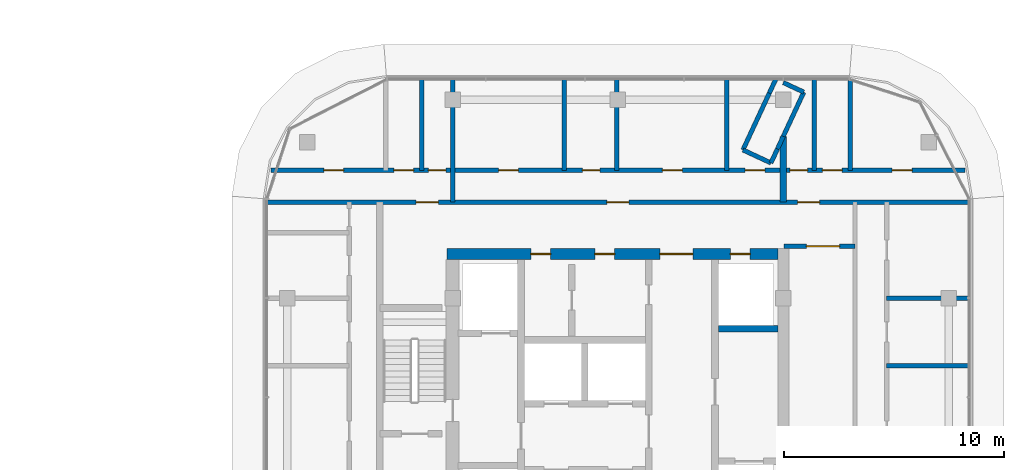
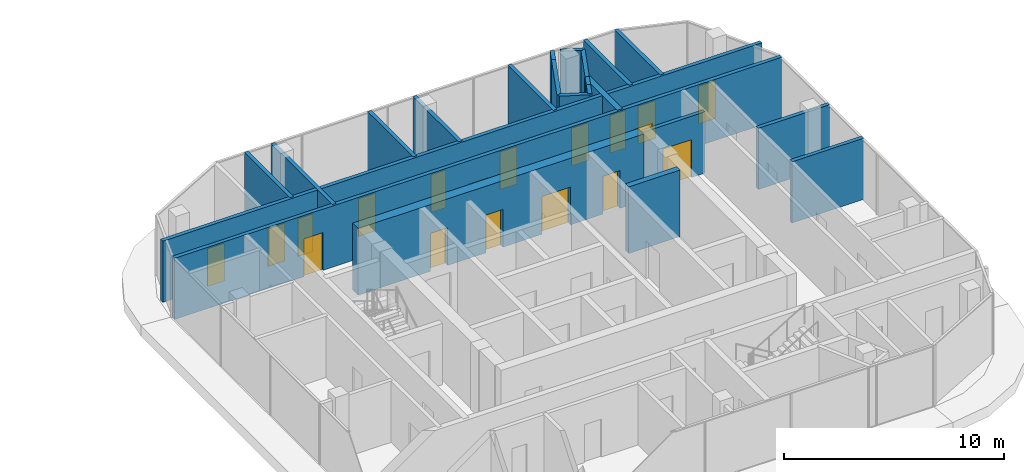
# One storey, part 28 of 40: 22 walls, 18 doors, 18 openings.
"""IFC4 building model written with IfcOpenShell, lengths in metres."""

from ifc_helpers import new_model, si_unit, direction, frame, frame_2d, origin, place, context, subcontext, project, spatial, rectangle, extrude, material, layer, layer_set, type_object, element, fill, save


model = new_model("IFC4")

# Units and contexts
model_context = context("Model", 3, precision=1e-05, world=origin(), true_north=direction((0.0, 1.0)))
body_context = subcontext(model_context, "Body", "Model", "MODEL_VIEW")
ifc_project = project(units=[si_unit("LENGTHUNIT", "METRE"), si_unit("AREAUNIT", "SQUARE_METRE"), si_unit("VOLUMEUNIT", "CUBIC_METRE"), si_unit("PLANEANGLEUNIT", "RADIAN"), si_unit("MASSUNIT", "GRAM", prefix="KILO")], contexts=[model_context])

# Site, building, storey
site_placement = place(None, origin())
site = spatial("IfcSite", under=ifc_project, at=site_placement, CompositionType="ELEMENT")
building_placement = place(site_placement, origin())
building = spatial("IfcBuilding", under=site, at=building_placement, Name="Ogive Portal Towers", CompositionType="ELEMENT")
storey_placement = place(building_placement, frame((0.0, 0.0, 87.10009765625)))
storey = spatial("IfcBuildingStorey", under=building, at=storey_placement, Name="L20", CompositionType="ELEMENT", Elevation=87.10009765625)

# Wall
ifc_material_1 = material(Name="Concrete C60/75", Category="concrete")
ifc_layer_1 = layer(ifc_material_1, 0.300048828125)
ifc_layer_set_1 = layer_set([ifc_layer_1], Name="CORE WALL 300 C60")
wall_type_1 = type_object("IfcWallType", Name="CORE WALL 300 C60", PredefinedType="SHEAR", material=ifc_layer_set_1)
wall_1_placement = place(storey_placement, frame((141.050048828125, 34.10009765625, 0.0), z_axis=(0.0, 0.0, 1.0), x_axis=(1.0, 0.0, 0.0)))
element("IfcWall", 1, at=wall_1_placement, inside=storey, type_object=wall_type_1, Name="Tower B core wall BY7 L20", PredefinedType="SHEAR", context=body_context, shape_type="SweptSolid", body=[
    extrude(rectangle(XDim=2.699951171875, YDim=0.300048828125, at=frame_2d((1.35009765625, 0.0))), origin(), (0.0, 0.0, 1.0), 3.699951171875),
])

# Wall, openings, doors
ifc_layer_2 = layer(ifc_material_1, 0.5)
ifc_layer_set_2 = layer_set([ifc_layer_2], Name="CORE WALL 500 C60")
wall_type_2 = type_object("IfcWallType", Name="CORE WALL 500 C60", PredefinedType="SHEAR", material=ifc_layer_set_2)
wall_2_placement = place(storey_placement, frame((128.75, 37.5, 0.0), z_axis=(0.0, 0.0, 1.0), x_axis=(1.0, 0.0, 0.0)))
wall_2 = element("IfcWall", 2, at=wall_2_placement, inside=storey, type_object=wall_type_2, Name="Tower B core wall BN L20", PredefinedType="SHEAR", context=body_context, shape_type="SweptSolid", body=[
    extrude(rectangle(XDim=15.0, YDim=0.5, at=frame_2d((7.5, 0.0))), origin(), (0.0, 0.0, 1.0), 3.699951171875),
])
opening_1_placement = place(wall_2_placement, frame((9.64990234375, 0.0, 0.0)))
opening_1 = element("IfcOpeningElement", 3, at=opening_1_placement, cuts=wall_2, Name="Opening B07-046", PredefinedType="OPENING", context=body_context, shape_type="SweptSolid", body=[
    extrude(rectangle(XDim=1.5, YDim=2.10009765625, at=frame_2d((0.75, 1.050048828125))), frame((0.0, 0.260009765625, 0.0), z_axis=(0.0, -1.0, 0.0), x_axis=(1.0, 0.0, 0.0)), (0.0, 0.0, 1.0), 0.52001953125),
])
opening_2_placement = place(wall_2_placement, frame((12.85009765625, 0.0, 0.0)))
opening_2 = element("IfcOpeningElement", 4, at=opening_2_placement, cuts=wall_2, Name="Opening B07-048", PredefinedType="OPENING", context=body_context, shape_type="SweptSolid", body=[
    extrude(rectangle(XDim=0.89990234375, YDim=2.10009765625, at=frame_2d((0.449951171875, 1.050048828125))), frame((0.0, 0.260009765625, 0.0), z_axis=(0.0, -1.0, 0.0), x_axis=(1.0, 0.0, 0.0)), (0.0, 0.0, 1.0), 0.52001953125),
])
opening_3_placement = place(wall_2_placement, frame((3.800048828125, 0.0, 0.0)))
opening_3 = element("IfcOpeningElement", 5, at=opening_3_placement, cuts=wall_2, Name="Opening B07-055", PredefinedType="OPENING", context=body_context, shape_type="SweptSolid", body=[
    extrude(rectangle(XDim=0.89990234375, YDim=2.10009765625, at=frame_2d((0.449951171875, 1.050048828125))), frame((0.0, 0.260009765625, 0.0), z_axis=(0.0, -1.0, 0.0), x_axis=(1.0, 0.0, 0.0)), (0.0, 0.0, 1.0), 0.52001953125),
])
opening_4_placement = place(wall_2_placement, frame((6.699951171875, 0.0, 0.0)))
opening_4 = element("IfcOpeningElement", 6, at=opening_4_placement, cuts=wall_2, Name="Opening B07-056", PredefinedType="OPENING", context=body_context, shape_type="SweptSolid", body=[
    extrude(rectangle(XDim=0.89990234375, YDim=2.10009765625, at=frame_2d((0.449951171875, 1.050048828125))), frame((0.0, 0.260009765625, 0.0), z_axis=(0.0, -1.0, 0.0), x_axis=(1.0, 0.0, 0.0)), (0.0, 0.0, 1.0), 0.52001953125),
])
ifc_material_2 = material(Name="Steel fire door", Category="steel")
door_type_1 = type_object("IfcDoorType", Name="DT-SWING-1500x2100-FD90S", OperationType="SINGLE_SWING_LEFT", PredefinedType="DOOR", material=ifc_material_2)
door_1_placement = place(opening_1_placement, origin())
door_1 = element("IfcDoor", 7, at=door_1_placement, inside=storey, type_object=door_type_1, Name="Door B07-046", OperationType="SINGLE_SWING_RIGHT", OverallHeight=2.10009765625, OverallWidth=1.5, PredefinedType="DOOR", context=body_context, shape_type="SweptSolid", body=[
    extrude(rectangle(XDim=1.5, YDim=2.10009765625, at=frame_2d((0.75, 1.050048828125))), frame((0.0, 0.02490234375, 0.0), z_axis=(0.0, -1.0, 0.0), x_axis=(1.0, 0.0, 0.0)), (0.0, 0.0, 1.0), 0.050048828125),
])
fill(opening_1, door_1)
door_type_2 = type_object("IfcDoorType", Name="DT-SWING-900x2100-FD90S", OperationType="SINGLE_SWING_LEFT", PredefinedType="DOOR", material=ifc_material_2)
door_2_placement = place(opening_2_placement, origin())
door_2 = element("IfcDoor", 8, at=door_2_placement, inside=storey, type_object=door_type_2, Name="Riser access door B07-048", OperationType="SINGLE_SWING_RIGHT", OverallHeight=2.10009765625, OverallWidth=0.89990234375, PredefinedType="DOOR", context=body_context, shape_type="SweptSolid", body=[
    extrude(rectangle(XDim=0.89990234375, YDim=2.10009765625, at=frame_2d((0.449951171875, 1.050048828125))), frame((0.0, 0.02490234375, 0.0), z_axis=(0.0, -1.0, 0.0), x_axis=(1.0, 0.0, 0.0)), (0.0, 0.0, 1.0), 0.050048828125),
])
fill(opening_2, door_2)
door_3_placement = place(opening_3_placement, origin())
door_3 = element("IfcDoor", 9, at=door_3_placement, inside=storey, type_object=door_type_2, Name="Door B07-055", OperationType="SINGLE_SWING_LEFT", OverallHeight=2.10009765625, OverallWidth=0.89990234375, PredefinedType="DOOR", context=body_context, shape_type="SweptSolid", body=[
    extrude(rectangle(XDim=0.89990234375, YDim=2.10009765625, at=frame_2d((0.449951171875, 1.050048828125))), frame((0.0, 0.02490234375, 0.0), z_axis=(0.0, -1.0, 0.0), x_axis=(1.0, 0.0, 0.0)), (0.0, 0.0, 1.0), 0.050048828125),
])
fill(opening_3, door_3)
door_4_placement = place(opening_4_placement, origin())
door_4 = element("IfcDoor", 10, at=door_4_placement, inside=storey, type_object=door_type_2, Name="Door B07-056", OperationType="SINGLE_SWING_RIGHT", OverallHeight=2.10009765625, OverallWidth=0.89990234375, PredefinedType="DOOR", context=body_context, shape_type="SweptSolid", body=[
    extrude(rectangle(XDim=0.89990234375, YDim=2.10009765625, at=frame_2d((0.449951171875, 1.050048828125))), frame((0.0, 0.02490234375, 0.0), z_axis=(0.0, -1.0, 0.0), x_axis=(1.0, 0.0, 0.0)), (0.0, 0.0, 1.0), 0.050048828125),
])
fill(opening_4, door_4)

# Walls
ifc_material_3 = material(Name="Gypsum board partition on steel studs", Category="steel")
ifc_layer_3 = layer(ifc_material_3, 0.199951171875)
ifc_layer_set_3 = layer_set([ifc_layer_3], Name="WT-PART-200-EI 60")
wall_type_3 = type_object("IfcWallType", Name="WT-PART-200-EI 60", PredefinedType="PARTITIONING", material=ifc_layer_set_3)
wall_3_placement = place(storey_placement, frame((142.1689453125, 42.218017578125, 0.0), z_axis=(0.0, 0.0, 1.0), x_axis=(0.906890025327, -0.421367395466, 0.0)))
element("IfcWall", 11, at=wall_3_placement, inside=storey, type_object=wall_type_3, Name="Wall L20:w001", PredefinedType="PARTITIONING", context=body_context, shape_type="SweptSolid", body=[
    extrude(rectangle(XDim=1.400390625, YDim=0.199951171875, at=frame_2d((0.7001953125, 0.0))), origin(), (0.0, 0.0, 1.0), 3.39990234375),
])
wall_4_placement = place(storey_placement, frame((142.1689453125, 42.218017578125, 0.0), z_axis=(0.0, 0.0, 1.0), x_axis=(0.421002733132, 0.907059368893, 0.0)))
element("IfcWall", 12, at=wall_4_placement, inside=storey, type_object=wall_type_3, Name="Wall L20:w003", PredefinedType="PARTITIONING", context=body_context, shape_type="SweptSolid", body=[
    extrude(rectangle(XDim=2.841064453125, YDim=0.199951171875, at=frame_2d((1.42041015625, 0.0))), origin(), (0.0, 0.0, 1.0), 3.39990234375),
])
wall_5_placement = place(storey_placement, frame((143.43896484375, 41.6279296875, 0.0), z_axis=(0.0, 0.0, 1.0), x_axis=(0.421223998033, 0.906956638148, 0.0)))
element("IfcWall", 13, at=wall_5_placement, inside=storey, type_object=wall_type_3, Name="Wall L20:w004", PredefinedType="PARTITIONING", context=body_context, shape_type="SweptSolid", body=[
    extrude(rectangle(XDim=0.7001953125, YDim=0.199951171875, at=frame_2d((0.35009765625, 0.0))), origin(), (0.0, 0.0, 1.0), 3.39990234375),
])
wall_6_placement = place(storey_placement, frame((143.364990234375, 44.794921875, 0.0), z_axis=(0.0, 0.0, 1.0), x_axis=(0.421776680367, 0.90669974738, 0.0)))
element("IfcWall", 14, at=wall_6_placement, inside=storey, type_object=wall_type_3, Name="Wall L20:w005", PredefinedType="PARTITIONING", context=body_context, shape_type="SweptSolid", body=[
    extrude(rectangle(XDim=0.71142578125, YDim=0.199951171875, at=frame_2d((0.355712890625, 0.0))), origin(), (0.0, 0.0, 1.0), 3.39990234375),
])
wall_7_placement = place(storey_placement, frame((143.73388671875, 42.262939453125, 0.0), z_axis=(0.0, 0.0, 1.0), x_axis=(0.420623716183, 0.907235189675, 0.0)))
element("IfcWall", 15, at=wall_7_placement, inside=storey, type_object=wall_type_3, Name="Wall L20:w006", PredefinedType="PARTITIONING", context=body_context, shape_type="SweptSolid", body=[
    extrude(rectangle(XDim=0.632568359375, YDim=0.199951171875, at=frame_2d((0.31640625, 0.0))), origin(), (0.0, 0.0, 1.0), 3.39990234375),
])
wall_8_placement = place(storey_placement, frame((144.0, 42.8369140625, 0.0), z_axis=(0.0, 0.0, 1.0), x_axis=(0.421069082826, 0.907028570382, 0.0)))
element("IfcWall", 16, at=wall_8_placement, inside=storey, type_object=wall_type_3, Name="Wall L20:w008", PredefinedType="PARTITIONING", context=body_context, shape_type="SweptSolid", body=[
    extrude(rectangle(XDim=2.20849609375, YDim=0.199951171875, at=frame_2d((1.104248046875, 0.0))), origin(), (0.0, 0.0, 1.0), 3.39990234375),
])
wall_9_placement = place(storey_placement, frame((144.0, 45.27197265625, 0.0), z_axis=(0.0, 0.0, 1.0), x_axis=(0.906960240365, -0.42121624185, 0.0)))
element("IfcWall", 17, at=wall_9_placement, inside=storey, type_object=wall_type_3, Name="Wall L20:w011", PredefinedType="PARTITIONING", context=body_context, shape_type="SweptSolid", body=[
    extrude(rectangle(XDim=1.025390625, YDim=0.199951171875, at=frame_2d((0.5126953125, 0.0))), origin(), (0.0, 0.0, 1.0), 3.39990234375),
])
for number, where, z_axis, x_axis, name in (
    (18, (148.68994140625, 32.43310546875, 0.0), (0.0, 0.0, 1.0), (1.0, 0.0, 0.0), "Wall L20:w023"),
    (19, (148.68994140625, 35.5, 0.0), (0.0, 0.0, 1.0), (1.0, 0.0, 0.0), "Wall L20:w026"),
):
    element("IfcWall", number, at=place(storey_placement, frame(where, z_axis=z_axis, x_axis=x_axis)), inside=storey, type_object=wall_type_3, Name=name, PredefinedType="PARTITIONING", context=body_context, shape_type="SweptSolid", body=[
        extrude(rectangle(XDim=3.75, YDim=0.199951171875, at=frame_2d((1.875, 0.0))), origin(), (0.0, 0.0, 1.0), 3.39990234375),
    ])

# Wall, opening, door
wall_10_placement = place(storey_placement, frame((144.02001953125, 37.85009765625, 0.0), z_axis=(0.0, 0.0, 1.0), x_axis=(1.0, 0.0, 0.0)))
wall_10 = element("IfcWall", 20, at=wall_10_placement, inside=storey, type_object=wall_type_3, Name="Wall L20:w028", PredefinedType="PARTITIONING", context=body_context, shape_type="SweptSolid", body=[
    extrude(rectangle(XDim=3.22998046875, YDim=0.199951171875, at=frame_2d((1.614990234375, 0.0))), origin(), (0.0, 0.0, 1.0), 3.39990234375),
])
opening_5_placement = place(wall_10_placement, frame((1.030029296875, 0.0, 0.0)))
opening_5 = element("IfcOpeningElement", 21, at=opening_5_placement, cuts=wall_10, Name="Opening B07-001", PredefinedType="OPENING", context=body_context, shape_type="SweptSolid", body=[
    extrude(rectangle(XDim=1.5, YDim=2.10009765625, at=frame_2d((0.75, 1.050048828125))), frame((0.0, 0.10986328125, 0.0), z_axis=(0.0, -1.0, 0.0), x_axis=(1.0, 0.0, 0.0)), (0.0, 0.0, 1.0), 0.219970703125),
])
door_type_3 = type_object("IfcDoorType", Name="DT-SWING-1500x2100-FD60S", OperationType="SINGLE_SWING_LEFT", PredefinedType="DOOR", material=ifc_material_2)
door_5_placement = place(opening_5_placement, origin())
door_5 = element("IfcDoor", 22, at=door_5_placement, inside=storey, type_object=door_type_3, Name="Door B07-001", OperationType="SINGLE_SWING_LEFT", OverallHeight=2.10009765625, OverallWidth=1.5, PredefinedType="DOOR", context=body_context, shape_type="SweptSolid", body=[
    extrude(rectangle(XDim=1.5, YDim=2.10009765625, at=frame_2d((0.75, 1.050048828125))), frame((0.0, 0.02490234375, 0.0), z_axis=(0.0, -1.0, 0.0), x_axis=(1.0, 0.0, 0.0)), (0.0, 0.0, 1.0), 0.050048828125),
])
fill(opening_5, door_5)

# Wall, openings, doors
wall_11_placement = place(storey_placement, frame((120.56005859375, 39.85009765625, 0.0), z_axis=(0.0, 0.0, 1.0), x_axis=(1.0, 0.0, 0.0)))
wall_11 = element("IfcWall", 23, at=wall_11_placement, inside=storey, type_object=wall_type_3, Name="Wall L20:w030", PredefinedType="PARTITIONING", context=body_context, shape_type="SweptSolid", body=[
    extrude(rectangle(XDim=31.8798828125, YDim=0.199951171875, at=frame_2d((15.93994140625, 0.0))), origin(), (0.0, 0.0, 1.0), 3.39990234375),
])
opening_6_placement = place(wall_11_placement, frame((6.7900390625, 0.0, 0.0)))
opening_6 = element("IfcOpeningElement", 24, at=opening_6_placement, cuts=wall_11, Name="Opening B07-005", PredefinedType="OPENING", context=body_context, shape_type="SweptSolid", body=[
    extrude(rectangle(XDim=1.0, YDim=2.10009765625, at=frame_2d((0.5, 1.050048828125))), frame((0.0, 0.10986328125, 0.0), z_axis=(0.0, -1.0, 0.0), x_axis=(1.0, 0.0, 0.0)), (0.0, 0.0, 1.0), 0.219970703125),
])
opening_7_placement = place(wall_11_placement, frame((15.43994140625, 0.0, 0.0)))
opening_7 = element("IfcOpeningElement", 25, at=opening_7_placement, cuts=wall_11, Name="Opening B07-009", PredefinedType="OPENING", context=body_context, shape_type="SweptSolid", body=[
    extrude(rectangle(XDim=1.0, YDim=2.10009765625, at=frame_2d((0.5, 1.050048828125))), frame((0.0, 0.10986328125, 0.0), z_axis=(0.0, -1.0, 0.0), x_axis=(1.0, 0.0, 0.0)), (0.0, 0.0, 1.0), 0.219970703125),
])
opening_8_placement = place(wall_11_placement, frame((24.090087890625, 0.0, 0.0)))
opening_8 = element("IfcOpeningElement", 26, at=opening_8_placement, cuts=wall_11, Name="Opening B07-014", PredefinedType="OPENING", context=body_context, shape_type="SweptSolid", body=[
    extrude(rectangle(XDim=1.0, YDim=2.10009765625, at=frame_2d((0.5, 1.050048828125))), frame((0.0, 0.10986328125, 0.0), z_axis=(0.0, -1.0, 0.0), x_axis=(1.0, 0.0, 0.0)), (0.0, 0.0, 1.0), 0.219970703125),
])
door_type_4 = type_object("IfcDoorType", Name="DT-SWING-1000x2100-FD60S", OperationType="SINGLE_SWING_LEFT", PredefinedType="DOOR", material=ifc_material_2)
door_6_placement = place(opening_6_placement, origin())
door_6 = element("IfcDoor", 27, at=door_6_placement, inside=storey, type_object=door_type_4, Name="Door B07-005", OperationType="SINGLE_SWING_LEFT", OverallHeight=2.10009765625, OverallWidth=1.0, PredefinedType="DOOR", context=body_context, shape_type="SweptSolid", body=[
    extrude(rectangle(XDim=1.0, YDim=2.10009765625, at=frame_2d((0.5, 1.050048828125))), frame((0.0, 0.02490234375, 0.0), z_axis=(0.0, -1.0, 0.0), x_axis=(1.0, 0.0, 0.0)), (0.0, 0.0, 1.0), 0.050048828125),
])
fill(opening_6, door_6)
door_7_placement = place(opening_7_placement, origin())
door_7 = element("IfcDoor", 28, at=door_7_placement, inside=storey, type_object=door_type_4, Name="Door B07-009", OperationType="SINGLE_SWING_LEFT", OverallHeight=2.10009765625, OverallWidth=1.0, PredefinedType="DOOR", context=body_context, shape_type="SweptSolid", body=[
    extrude(rectangle(XDim=1.0, YDim=2.10009765625, at=frame_2d((0.5, 1.050048828125))), frame((0.0, 0.02490234375, 0.0), z_axis=(0.0, -1.0, 0.0), x_axis=(1.0, 0.0, 0.0)), (0.0, 0.0, 1.0), 0.050048828125),
])
fill(opening_7, door_7)
door_8_placement = place(opening_8_placement, origin())
door_8 = element("IfcDoor", 29, at=door_8_placement, inside=storey, type_object=door_type_4, Name="Door B07-014", OperationType="SINGLE_SWING_RIGHT", OverallHeight=2.10009765625, OverallWidth=1.0, PredefinedType="DOOR", context=body_context, shape_type="SweptSolid", body=[
    extrude(rectangle(XDim=1.0, YDim=2.10009765625, at=frame_2d((0.5, 1.050048828125))), frame((0.0, 0.02490234375, 0.0), z_axis=(0.0, -1.0, 0.0), x_axis=(1.0, 0.0, 0.0)), (0.0, 0.0, 1.0), 0.050048828125),
])
fill(opening_8, door_8)

wall_12_placement = place(storey_placement, frame((120.764892578125, 41.2900390625, 0.0), z_axis=(0.0, 0.0, 1.0), x_axis=(1.0, 0.0, 0.0)))
wall_12 = element("IfcWall", 30, at=wall_12_placement, inside=storey, type_object=wall_type_3, Name="Wall L20:w031", PredefinedType="PARTITIONING", context=body_context, shape_type="SweptSolid", body=[
    extrude(rectangle(XDim=31.47021484375, YDim=0.199951171875, at=frame_2d((15.735107421875, 0.0))), origin(), (0.0, 0.0, 1.0), 3.39990234375),
])
opening_9_placement = place(wall_12_placement, frame((2.39697265625, 0.0, 0.0)))
opening_9 = element("IfcOpeningElement", 31, at=opening_9_placement, cuts=wall_12, Name="Opening B07-006", PredefinedType="OPENING", context=body_context, shape_type="SweptSolid", body=[
    extrude(rectangle(XDim=0.89990234375, YDim=2.10009765625, at=frame_2d((0.449951171875, 1.050048828125))), frame((0.0, 0.10986328125, 0.0), z_axis=(0.0, -1.0, 0.0), x_axis=(1.0, 0.0, 0.0)), (0.0, 0.0, 1.0), 0.219970703125),
])
opening_10_placement = place(wall_12_placement, frame((5.56591796875, 0.0, 0.0)))
opening_10 = element("IfcOpeningElement", 32, at=opening_10_placement, cuts=wall_12, Name="Opening B07-007", PredefinedType="OPENING", context=body_context, shape_type="SweptSolid", body=[
    extrude(rectangle(XDim=0.89990234375, YDim=2.10009765625, at=frame_2d((0.449951171875, 1.050048828125))), frame((0.0, 0.10986328125, 0.0), z_axis=(0.0, -1.0, 0.0), x_axis=(1.0, 0.0, 0.0)), (0.0, 0.0, 1.0), 0.219970703125),
])
opening_11_placement = place(wall_12_placement, frame((7.135009765625, 0.0, 0.0)))
opening_11 = element("IfcOpeningElement", 33, at=opening_11_placement, cuts=wall_12, Name="Opening B07-008", PredefinedType="OPENING", context=body_context, shape_type="SweptSolid", body=[
    extrude(rectangle(XDim=0.800048828125, YDim=2.10009765625, at=frame_2d((0.39990234375, 1.050048828125))), frame((0.0, 0.10986328125, 0.0), z_axis=(0.0, -1.0, 0.0), x_axis=(1.0, 0.0, 0.0)), (0.0, 0.0, 1.0), 0.219970703125),
])
opening_12_placement = place(wall_12_placement, frame((10.319091796875, 0.0, 0.0)))
opening_12 = element("IfcOpeningElement", 34, at=opening_12_placement, cuts=wall_12, Name="Opening B07-010", PredefinedType="OPENING", context=body_context, shape_type="SweptSolid", body=[
    extrude(rectangle(XDim=0.89990234375, YDim=2.10009765625, at=frame_2d((0.449951171875, 1.050048828125))), frame((0.0, 0.10986328125, 0.0), z_axis=(0.0, -1.0, 0.0), x_axis=(1.0, 0.0, 0.0)), (0.0, 0.0, 1.0), 0.219970703125),
])
opening_13_placement = place(wall_12_placement, frame((14.118896484375, 0.0, 0.0)))
opening_13 = element("IfcOpeningElement", 35, at=opening_13_placement, cuts=wall_12, Name="Opening B07-011", PredefinedType="OPENING", context=body_context, shape_type="SweptSolid", body=[
    extrude(rectangle(XDim=0.800048828125, YDim=2.10009765625, at=frame_2d((0.39990234375, 1.050048828125))), frame((0.0, 0.10986328125, 0.0), z_axis=(0.0, -1.0, 0.0), x_axis=(1.0, 0.0, 0.0)), (0.0, 0.0, 1.0), 0.219970703125),
])
opening_14_placement = place(wall_12_placement, frame((17.751953125, 0.0, 0.0)))
opening_14 = element("IfcOpeningElement", 36, at=opening_14_placement, cuts=wall_12, Name="Opening B07-012", PredefinedType="OPENING", context=body_context, shape_type="SweptSolid", body=[
    extrude(rectangle(XDim=0.89990234375, YDim=2.10009765625, at=frame_2d((0.449951171875, 1.050048828125))), frame((0.0, 0.10986328125, 0.0), z_axis=(0.0, -1.0, 0.0), x_axis=(1.0, 0.0, 0.0)), (0.0, 0.0, 1.0), 0.219970703125),
])
opening_15_placement = place(wall_12_placement, frame((21.501953125, 0.0, 0.0)))
opening_15 = element("IfcOpeningElement", 37, at=opening_15_placement, cuts=wall_12, Name="Opening B07-013", PredefinedType="OPENING", context=body_context, shape_type="SweptSolid", body=[
    extrude(rectangle(XDim=0.89990234375, YDim=2.10009765625, at=frame_2d((0.449951171875, 1.050048828125))), frame((0.0, 0.10986328125, 0.0), z_axis=(0.0, -1.0, 0.0), x_axis=(1.0, 0.0, 0.0)), (0.0, 0.0, 1.0), 0.219970703125),
])
opening_16_placement = place(wall_12_placement, frame((23.534912109375, 0.0, 0.0)))
opening_16 = element("IfcOpeningElement", 38, at=opening_16_placement, cuts=wall_12, Name="Opening B07-015", PredefinedType="OPENING", context=body_context, shape_type="SweptSolid", body=[
    extrude(rectangle(XDim=0.800048828125, YDim=2.10009765625, at=frame_2d((0.39990234375, 1.050048828125))), frame((0.0, 0.10986328125, 0.0), z_axis=(0.0, -1.0, 0.0), x_axis=(1.0, 0.0, 0.0)), (0.0, 0.0, 1.0), 0.219970703125),
])
opening_17_placement = place(wall_12_placement, frame((25.00390625, 0.0, 0.0)))
opening_17 = element("IfcOpeningElement", 39, at=opening_17_placement, cuts=wall_12, Name="Opening B07-016", PredefinedType="OPENING", context=body_context, shape_type="SweptSolid", body=[
    extrude(rectangle(XDim=0.89990234375, YDim=2.10009765625, at=frame_2d((0.449951171875, 1.050048828125))), frame((0.0, 0.10986328125, 0.0), z_axis=(0.0, -1.0, 0.0), x_axis=(1.0, 0.0, 0.0)), (0.0, 0.0, 1.0), 0.219970703125),
])
opening_18_placement = place(wall_12_placement, frame((28.173095703125, 0.0, 0.0)))
opening_18 = element("IfcOpeningElement", 40, at=opening_18_placement, cuts=wall_12, Name="Opening B07-017", PredefinedType="OPENING", context=body_context, shape_type="SweptSolid", body=[
    extrude(rectangle(XDim=0.89990234375, YDim=2.10009765625, at=frame_2d((0.449951171875, 1.050048828125))), frame((0.0, 0.10986328125, 0.0), z_axis=(0.0, -1.0, 0.0), x_axis=(1.0, 0.0, 0.0)), (0.0, 0.0, 1.0), 0.219970703125),
])
door_type_5 = type_object("IfcDoorType", Name="DT-SWING-800x2100-FD60S", OperationType="SINGLE_SWING_LEFT", PredefinedType="DOOR", material=ifc_material_2)
door_9_placement = place(opening_11_placement, origin())
door_9 = element("IfcDoor", 41, at=door_9_placement, inside=storey, type_object=door_type_5, Name="Door B07-008", OperationType="SINGLE_SWING_RIGHT", OverallHeight=2.10009765625, OverallWidth=0.800048828125, PredefinedType="DOOR", context=body_context, shape_type="SweptSolid", body=[
    extrude(rectangle(XDim=0.800048828125, YDim=2.10009765625, at=frame_2d((0.39990234375, 1.050048828125))), frame((0.0, 0.02490234375, 0.0), z_axis=(0.0, -1.0, 0.0), x_axis=(1.0, 0.0, 0.0)), (0.0, 0.0, 1.0), 0.050048828125),
])
fill(opening_11, door_9)
door_10_placement = place(opening_13_placement, origin())
door_10 = element("IfcDoor", 42, at=door_10_placement, inside=storey, type_object=door_type_5, Name="Door B07-011", OperationType="SINGLE_SWING_LEFT", OverallHeight=2.10009765625, OverallWidth=0.800048828125, PredefinedType="DOOR", context=body_context, shape_type="SweptSolid", body=[
    extrude(rectangle(XDim=0.800048828125, YDim=2.10009765625, at=frame_2d((0.39990234375, 1.050048828125))), frame((0.0, 0.02490234375, 0.0), z_axis=(0.0, -1.0, 0.0), x_axis=(1.0, 0.0, 0.0)), (0.0, 0.0, 1.0), 0.050048828125),
])
fill(opening_13, door_10)
door_11_placement = place(opening_16_placement, origin())
door_11 = element("IfcDoor", 43, at=door_11_placement, inside=storey, type_object=door_type_5, Name="Door B07-015", OperationType="SINGLE_SWING_LEFT", OverallHeight=2.10009765625, OverallWidth=0.800048828125, PredefinedType="DOOR", context=body_context, shape_type="SweptSolid", body=[
    extrude(rectangle(XDim=0.800048828125, YDim=2.10009765625, at=frame_2d((0.39990234375, 1.050048828125))), frame((0.0, 0.02490234375, 0.0), z_axis=(0.0, -1.0, 0.0), x_axis=(1.0, 0.0, 0.0)), (0.0, 0.0, 1.0), 0.050048828125),
])
fill(opening_16, door_11)
door_type_6 = type_object("IfcDoorType", Name="DT-SWING-900x2100-FD60S", OperationType="SINGLE_SWING_LEFT", PredefinedType="DOOR", material=ifc_material_2)
door_12_placement = place(opening_9_placement, origin())
door_12 = element("IfcDoor", 44, at=door_12_placement, inside=storey, type_object=door_type_6, Name="Door B07-006", OperationType="SINGLE_SWING_RIGHT", OverallHeight=2.10009765625, OverallWidth=0.89990234375, PredefinedType="DOOR", context=body_context, shape_type="SweptSolid", body=[
    extrude(rectangle(XDim=0.89990234375, YDim=2.10009765625, at=frame_2d((0.449951171875, 1.050048828125))), frame((0.0, 0.02490234375, 0.0), z_axis=(0.0, -1.0, 0.0), x_axis=(1.0, 0.0, 0.0)), (0.0, 0.0, 1.0), 0.050048828125),
])
fill(opening_9, door_12)
door_13_placement = place(opening_10_placement, origin())
door_13 = element("IfcDoor", 45, at=door_13_placement, inside=storey, type_object=door_type_6, Name="Door B07-007", OperationType="SINGLE_SWING_LEFT", OverallHeight=2.10009765625, OverallWidth=0.89990234375, PredefinedType="DOOR", context=body_context, shape_type="SweptSolid", body=[
    extrude(rectangle(XDim=0.89990234375, YDim=2.10009765625, at=frame_2d((0.449951171875, 1.050048828125))), frame((0.0, 0.02490234375, 0.0), z_axis=(0.0, -1.0, 0.0), x_axis=(1.0, 0.0, 0.0)), (0.0, 0.0, 1.0), 0.050048828125),
])
fill(opening_10, door_13)
door_14_placement = place(opening_12_placement, origin())
door_14 = element("IfcDoor", 46, at=door_14_placement, inside=storey, type_object=door_type_6, Name="Door B07-010", OperationType="SINGLE_SWING_RIGHT", OverallHeight=2.10009765625, OverallWidth=0.89990234375, PredefinedType="DOOR", context=body_context, shape_type="SweptSolid", body=[
    extrude(rectangle(XDim=0.89990234375, YDim=2.10009765625, at=frame_2d((0.449951171875, 1.050048828125))), frame((0.0, 0.02490234375, 0.0), z_axis=(0.0, -1.0, 0.0), x_axis=(1.0, 0.0, 0.0)), (0.0, 0.0, 1.0), 0.050048828125),
])
fill(opening_12, door_14)
door_15_placement = place(opening_14_placement, origin())
door_15 = element("IfcDoor", 47, at=door_15_placement, inside=storey, type_object=door_type_6, Name="Door B07-012", OperationType="SINGLE_SWING_RIGHT", OverallHeight=2.10009765625, OverallWidth=0.89990234375, PredefinedType="DOOR", context=body_context, shape_type="SweptSolid", body=[
    extrude(rectangle(XDim=0.89990234375, YDim=2.10009765625, at=frame_2d((0.449951171875, 1.050048828125))), frame((0.0, 0.02490234375, 0.0), z_axis=(0.0, -1.0, 0.0), x_axis=(1.0, 0.0, 0.0)), (0.0, 0.0, 1.0), 0.050048828125),
])
fill(opening_14, door_15)
door_16_placement = place(opening_15_placement, origin())
door_16 = element("IfcDoor", 48, at=door_16_placement, inside=storey, type_object=door_type_6, Name="Door B07-013", OperationType="SINGLE_SWING_LEFT", OverallHeight=2.10009765625, OverallWidth=0.89990234375, PredefinedType="DOOR", context=body_context, shape_type="SweptSolid", body=[
    extrude(rectangle(XDim=0.89990234375, YDim=2.10009765625, at=frame_2d((0.449951171875, 1.050048828125))), frame((0.0, 0.02490234375, 0.0), z_axis=(0.0, -1.0, 0.0), x_axis=(1.0, 0.0, 0.0)), (0.0, 0.0, 1.0), 0.050048828125),
])
fill(opening_15, door_16)
door_17_placement = place(opening_17_placement, origin())
door_17 = element("IfcDoor", 49, at=door_17_placement, inside=storey, type_object=door_type_6, Name="Door B07-016", OperationType="SINGLE_SWING_RIGHT", OverallHeight=2.10009765625, OverallWidth=0.89990234375, PredefinedType="DOOR", context=body_context, shape_type="SweptSolid", body=[
    extrude(rectangle(XDim=0.89990234375, YDim=2.10009765625, at=frame_2d((0.449951171875, 1.050048828125))), frame((0.0, 0.02490234375, 0.0), z_axis=(0.0, -1.0, 0.0), x_axis=(1.0, 0.0, 0.0)), (0.0, 0.0, 1.0), 0.050048828125),
])
fill(opening_17, door_17)
door_18_placement = place(opening_18_placement, origin())
door_18 = element("IfcDoor", 50, at=door_18_placement, inside=storey, type_object=door_type_6, Name="Door B07-017", OperationType="SINGLE_SWING_LEFT", OverallHeight=2.10009765625, OverallWidth=0.89990234375, PredefinedType="DOOR", context=body_context, shape_type="SweptSolid", body=[
    extrude(rectangle(XDim=0.89990234375, YDim=2.10009765625, at=frame_2d((0.449951171875, 1.050048828125))), frame((0.0, 0.02490234375, 0.0), z_axis=(0.0, -1.0, 0.0), x_axis=(1.0, 0.0, 0.0)), (0.0, 0.0, 1.0), 0.050048828125),
])
fill(opening_18, door_18)

# Walls
wall_13_placement = place(storey_placement, frame((127.60107421875, 41.2900390625, 0.0), z_axis=(0.0, 0.0, 1.0), x_axis=(0.0, 1.0, 0.0)))
element("IfcWall", 51, at=wall_13_placement, inside=storey, type_object=wall_type_3, Name="Wall L20:w036", PredefinedType="PARTITIONING", context=body_context, shape_type="SweptSolid", body=[
    extrude(rectangle(XDim=4.14990234375, YDim=0.199951171875, at=frame_2d((2.074951171875, 0.0))), origin(), (0.0, 0.0, 1.0), 3.39990234375),
])
wall_14_placement = place(storey_placement, frame((129.0, 39.85009765625, 0.0), z_axis=(0.0, 0.0, 1.0), x_axis=(0.0, 1.0, 0.0)))
element("IfcWall", 52, at=wall_14_placement, inside=storey, type_object=wall_type_3, Name="Wall L20:w040", PredefinedType="PARTITIONING", context=body_context, shape_type="SweptSolid", body=[
    extrude(rectangle(XDim=5.58984375, YDim=0.199951171875, at=frame_2d((2.794921875, 0.0))), origin(), (0.0, 0.0, 1.0), 3.39990234375),
])
for number, where, z_axis, x_axis, name in (
    (53, (134.069091796875, 41.2900390625, 0.0), (0.0, 0.0, 1.0), (0.0, 1.0, 0.0), "Wall L20:w042"),
    (54, (136.449951171875, 41.2900390625, 0.0), (0.0, 0.0, 1.0), (0.0, 1.0, 0.0), "Wall L20:w045"),
    (55, (141.43310546875, 41.2900390625, 0.0), (0.0, 0.0, 1.0), (0.0, 1.0, 0.0), "Wall L20:w047"),
    (56, (145.39892578125, 41.2900390625, 0.0), (0.0, 0.0, 1.0), (0.0, 1.0, 0.0), "Wall L20:w053"),
):
    element("IfcWall", number, at=place(storey_placement, frame(where, z_axis=z_axis, x_axis=x_axis)), inside=storey, type_object=wall_type_3, Name=name, PredefinedType="PARTITIONING", context=body_context, shape_type="SweptSolid", body=[
        extrude(rectangle(XDim=4.14990234375, YDim=0.199951171875, at=frame_2d((2.074951171875, 0.0))), origin(), (0.0, 0.0, 1.0), 3.39990234375),
    ])
wall_15_placement = place(storey_placement, frame((147.0380859375, 41.2900390625, 0.0), z_axis=(0.0, 0.0, 1.0), x_axis=(0.0, 1.0, 0.0)))
element("IfcWall", 57, at=wall_15_placement, inside=storey, type_object=wall_type_3, Name="Wall L20:w055", PredefinedType="PARTITIONING", context=body_context, shape_type="SweptSolid", body=[
    extrude(rectangle(XDim=4.14306640625, YDim=0.199951171875, at=frame_2d((2.071533203125, 0.0))), origin(), (0.0, 0.0, 1.0), 3.39990234375),
])
ifc_layer_4 = layer(ifc_material_3, 0.300048828125)
ifc_layer_set_4 = layer_set([ifc_layer_4], Name="WT-PART-300-EI 60")
wall_type_4 = type_object("IfcWallType", Name="WT-PART-300-EI 60", PredefinedType="PARTITIONING", material=ifc_layer_set_4)
wall_16_placement = place(storey_placement, frame((144.0, 39.85009765625, 0.0), z_axis=(0.0, 0.0, 1.0), x_axis=(0.0, 1.0, 0.0)))
element("IfcWall", 58, at=wall_16_placement, inside=storey, type_object=wall_type_4, Name="Wall L20:w049", PredefinedType="PARTITIONING", context=body_context, shape_type="SweptSolid", body=[
    extrude(rectangle(XDim=2.98681640625, YDim=0.300048828125, at=frame_2d((1.493408203125, 0.0))), origin(), (0.0, 0.0, 1.0), 3.39990234375),
])

save(model, "model.ifc")
